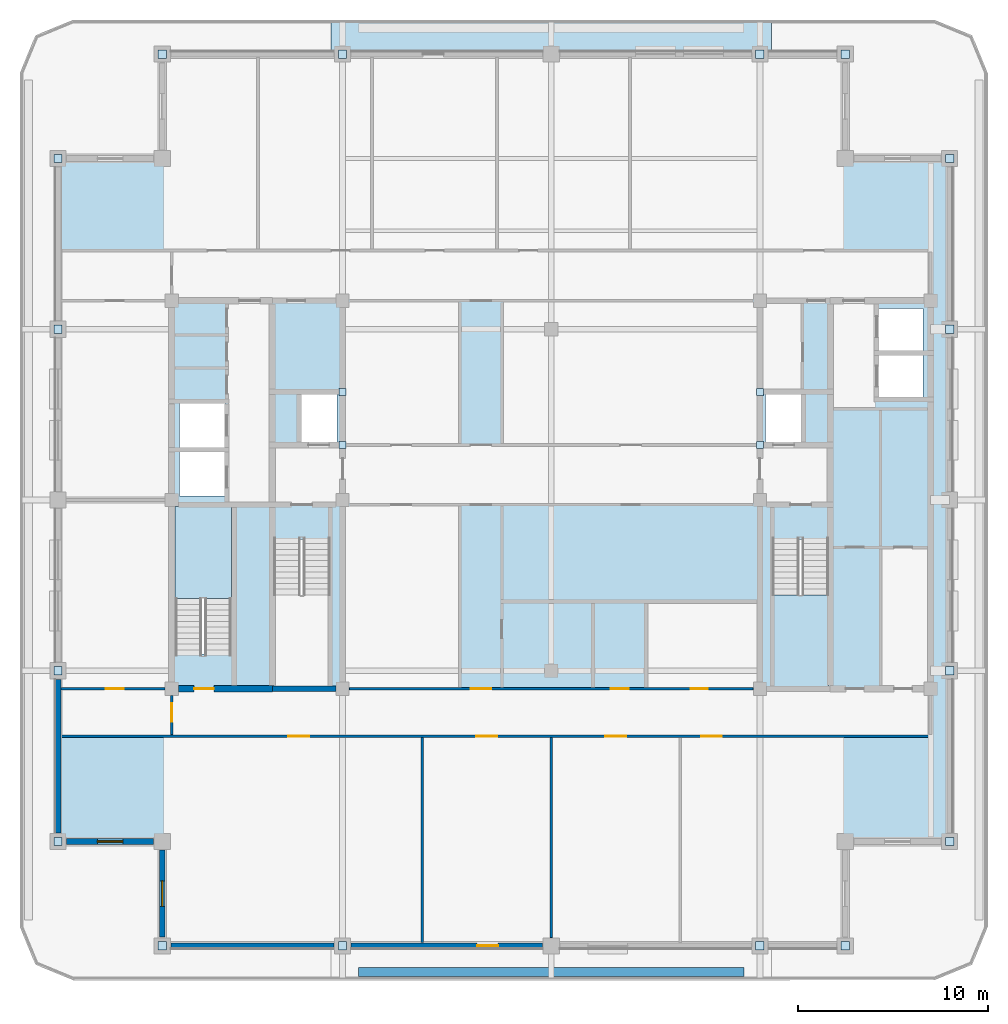
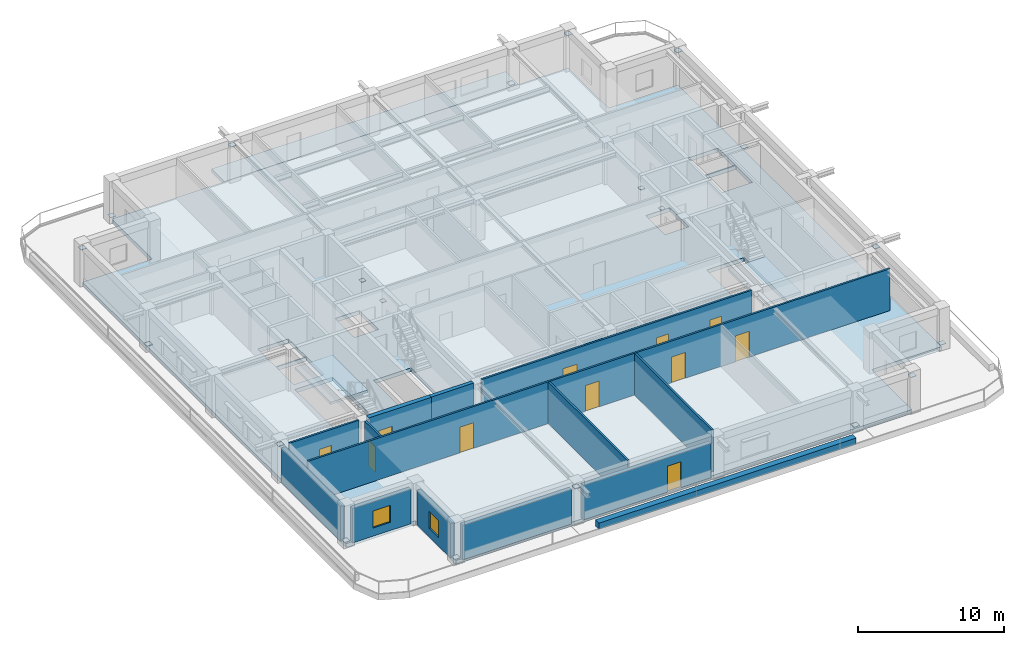
# One storey, part 2 of 11: 20 plates, 14 walls, 11 doors, 4 slabs, 2 windows, 13 openings, 2 elements without a shape of their own.
"""IFC4 building model written with IfcOpenShell, lengths in metres."""

from ifc_helpers import new_model, si_unit, direction, frame, frame_2d, origin, origin_2d, place, context, subcontext, project, spatial, polyline, rectangle, outline, extrude, material, layer, layer_set, type_object, element, fill, aggregate, save


model = new_model("IFC4")

# Units and contexts
model_context = context("Model", 3, precision=1e-05, world=origin(), true_north=direction((0.0, 1.0)))
body_context = subcontext(model_context, "Body", "Model", "MODEL_VIEW")
ifc_project = project(units=[si_unit("LENGTHUNIT", "METRE"), si_unit("AREAUNIT", "SQUARE_METRE"), si_unit("VOLUMEUNIT", "CUBIC_METRE"), si_unit("PLANEANGLEUNIT", "RADIAN"), si_unit("MASSUNIT", "GRAM", prefix="KILO")], contexts=[model_context])

# Site, building, storey
site_placement = place(None, origin())
site = spatial("IfcSite", under=ifc_project, at=site_placement, CompositionType="ELEMENT")
building_placement = place(site_placement, origin())
building = spatial("IfcBuilding", under=site, at=building_placement, Name="Zulmaris Gate Convention Tower", CompositionType="ELEMENT")
storey_placement = place(building_placement, frame((0.0, 0.0, 270.580078125)))
storey = spatial("IfcBuildingStorey", under=building, at=storey_placement, Name="L72", CompositionType="ELEMENT", Elevation=270.580078125)

# Plates
ifc_material_1 = material(Name="Steel S460", Category="steel")
ifc_layer_1 = layer(ifc_material_1, 0.02197265625, Name="Steel S460")
ifc_layer_set_1 = layer_set([ifc_layer_1], Name="Steel S460")
plate_type_1 = type_object("IfcPlateType", Name="NP-CAP-360", PredefinedType="USERDEFINED", material=ifc_layer_set_1)
for number, where, z_axis, x_axis, name in (
    (1, (-11.0, 2.89990234375, 2.339111328125), (0.0, 0.0, 1.0), (1.0, 0.0, 0.0), "L72 Steel Node Plate LN-L72-1-CAP0"),
    (2, (-11.0, 5.699951171875, 2.339111328125), (0.0, 0.0, 1.0), (1.0, 0.0, 0.0), "L72 Steel Node Plate LN-L72-1-CAP1"),
    (3, (11.0, 2.89990234375, 2.339111328125), (0.0, 0.0, 1.0), (1.0, 0.0, 0.0), "L72 Steel Node Plate LN-L72-2-CAP0"),
    (4, (11.0, 5.699951171875, 2.339111328125), (0.0, 0.0, 1.0), (1.0, 0.0, 0.0), "L72 Steel Node Plate LN-L72-2-CAP1"),
):
    element("IfcPlate", number, at=place(storey_placement, frame(where, z_axis=z_axis, x_axis=x_axis)), inside=storey, type_object=plate_type_1, Name=name, ObjectType="FLANGE PLATE", PredefinedType="USERDEFINED", context=body_context, shape_type="SweptSolid", body=[
        extrude(rectangle(XDim=0.360107421875, YDim=0.360107421875, at=origin_2d()), origin(), (0.0, 0.0, 1.0), 0.02197265625),
    ])
ifc_layer_2 = layer(ifc_material_1, 0.02490234375, Name="Steel S460")
ifc_layer_set_2 = layer_set([ifc_layer_2], Name="Steel S460")
plate_type_2 = type_object("IfcPlateType", Name="NP-CAP-440", PredefinedType="USERDEFINED", material=ifc_layer_set_2)
for number, where, z_axis, x_axis, name in (
    (5, (-26.0, -18.0, 0.28759765625), (0.0, 0.0, 1.0), (1.0, 0.0, 0.0), "L72 Steel Node Plate PBR-L72-SW-W-CAP"),
    (6, (-26.0, -9.0, 2.857666015625), (0.0, 0.0, 1.0), (1.0, 0.0, 0.0), "L72 Steel Node Plate PBR-L72-SW-W-CAPB"),
    (7, (-26.0, 9.0, 0.28759765625), (0.0, 0.0, 1.0), (1.0, 0.0, 0.0), "L72 Steel Node Plate PBR-L72-NW-W-CAP"),
    (8, (-26.0, 18.0, 2.857666015625), (0.0, 0.0, 1.0), (1.0, 0.0, 0.0), "L72 Steel Node Plate PBR-L72-NW-W-CAPB"),
    (9, (21.0, -18.0, 0.28759765625), (0.0, 0.0, 1.0), (1.0, 0.0, 0.0), "L72 Steel Node Plate PBR-L72-SE-E-CAP"),
    (10, (21.0, -9.0, 2.857666015625), (0.0, 0.0, 1.0), (1.0, 0.0, 0.0), "L72 Steel Node Plate PBR-L72-SE-E-CAPB"),
    (11, (21.0, 9.0, 0.28759765625), (0.0, 0.0, 1.0), (1.0, 0.0, 0.0), "L72 Steel Node Plate PBR-L72-NE-E-CAP"),
    (12, (21.0, 18.0, 2.857666015625), (0.0, 0.0, 1.0), (1.0, 0.0, 0.0), "L72 Steel Node Plate PBR-L72-NE-E-CAPB"),
    (13, (-20.5, -23.5, 0.28759765625), (0.0, 0.0, 1.0), (1.0, 0.0, 0.0), "L72 Steel Node Plate PBR-L72-SW-S-CAP"),
    (14, (-11.0, -23.5, 2.857666015625), (0.0, 0.0, 1.0), (1.0, 0.0, 0.0), "L72 Steel Node Plate PBR-L72-SW-S-CAPB"),
    (15, (11.0, -23.5, 0.28759765625), (0.0, 0.0, 1.0), (1.0, 0.0, 0.0), "L72 Steel Node Plate PBR-L72-SE-S-CAP"),
    (16, (15.5, -23.5, 2.857666015625), (0.0, 0.0, 1.0), (1.0, 0.0, 0.0), "L72 Steel Node Plate PBR-L72-SE-S-CAPB"),
    (17, (-20.5, 23.5, 0.28759765625), (0.0, 0.0, 1.0), (1.0, 0.0, 0.0), "L72 Steel Node Plate PBR-L72-NW-N-CAP"),
    (18, (-11.0, 23.5, 2.857666015625), (0.0, 0.0, 1.0), (1.0, 0.0, 0.0), "L72 Steel Node Plate PBR-L72-NW-N-CAPB"),
    (19, (11.0, 23.5, 0.28759765625), (0.0, 0.0, 1.0), (1.0, 0.0, 0.0), "L72 Steel Node Plate PBR-L72-NE-N-CAP"),
    (20, (15.5, 23.5, 2.857666015625), (0.0, 0.0, 1.0), (1.0, 0.0, 0.0), "L72 Steel Node Plate PBR-L72-NE-N-CAPB"),
):
    element("IfcPlate", number, at=place(storey_placement, frame(where, z_axis=z_axis, x_axis=x_axis)), inside=storey, type_object=plate_type_2, Name=name, ObjectType="FLANGE PLATE", PredefinedType="USERDEFINED", context=body_context, shape_type="SweptSolid", body=[
        extrude(rectangle(XDim=0.43994140625, YDim=0.43994140625, at=origin_2d()), origin(), (0.0, 0.0, 1.0), 0.02490234375),
    ])

# Slab
ifc_material_2 = material(Name="Concrete C50/60", Category="concrete")
ifc_layer_3 = layer(ifc_material_2, 0.324951171875, Name="Concrete C50/60")
ifc_layer_set_3 = layer_set([ifc_layer_3], Name="Concrete C50/60")
slab_type_1 = type_object("IfcSlabType", Name="SL-FLR-325", PredefinedType="FLOOR", material=ifc_layer_set_3)
slab_1_placement = place(storey_placement, frame((0.0, 0.0, -0.324951171875)))
element("IfcSlab", 21, at=slab_1_placement, inside=storey, type_object=slab_type_1, Name="L72 Shifted Notched-Square Structural Floor Slab", PredefinedType="FLOOR", context=body_context, shape_type="SweptSolid", body=[
    extrude(outline(polyline([(-20.5, -23.5), (15.5, -23.5), (15.5, -18.0), (21.0, -18.0), (21.0, 18.0), (15.5, 18.0), (15.5, 23.5), (-20.5, 23.5), (-20.5, 18.0), (-26.0, 18.0), (-26.0, -18.0), (-20.5, -18.0), (-20.5, -23.5)]), holes=[polyline([(-14.6201171875, -2.080078125), (-14.6201171875, -9.85009765625), (-11.659912109375, -9.85009765625), (-11.659912109375, -2.080078125), (-14.6201171875, -2.080078125)]), polyline([(11.659912109375, -2.080078125), (11.659912109375, -9.85009765625), (14.6201171875, -9.85009765625), (14.6201171875, -2.080078125), (11.659912109375, -2.080078125)]), polyline([(-16.860107421875, -8.1201171875), (-16.860107421875, -0.35009765625), (-19.820068359375, -0.35009765625), (-19.820068359375, -8.1201171875), (-16.860107421875, -8.1201171875)]), polyline([(-13.199951171875, 3.0), (-11.300048828125, 3.0), (-11.300048828125, 5.60009765625), (-13.199951171875, 5.60009765625), (-13.199951171875, 3.0)]), polyline([(11.300048828125, 3.0), (13.199951171875, 3.0), (13.199951171875, 5.60009765625), (11.300048828125, 5.60009765625), (11.300048828125, 3.0)]), polyline([(17.199951171875, 5.39990234375), (19.60009765625, 5.39990234375), (19.60009765625, 7.699951171875), (17.199951171875, 7.699951171875), (17.199951171875, 5.39990234375)]), polyline([(17.199951171875, 7.800048828125), (19.60009765625, 7.800048828125), (19.60009765625, 10.10009765625), (17.199951171875, 10.10009765625), (17.199951171875, 7.800048828125)]), polyline([(-19.60009765625, 0.199951171875), (-17.199951171875, 0.199951171875), (-17.199951171875, 2.60009765625), (-19.60009765625, 2.60009765625), (-19.60009765625, 0.199951171875)]), polyline([(-19.60009765625, 2.699951171875), (-17.199951171875, 2.699951171875), (-17.199951171875, 5.10009765625), (-19.60009765625, 5.10009765625), (-19.60009765625, 2.699951171875)])]), origin(), (0.0, 0.0, 1.0), 0.324951171875),
])

# Stair, slab
ifc_material_3 = material(Name="Concrete C45/55", Category="concrete")
stair_type = type_object("IfcStairType", Name="ST-CORE-DOGLEG", PredefinedType="HALF_TURN_STAIR", material=ifc_material_3)
stair_1_placement = place(storey_placement, origin())
stair_1 = element("IfcStair", 22, at=stair_1_placement, inside=storey, type_object=stair_type, Name="L72 Core Exit Stair ST-2", PredefinedType="HALF_TURN_STAIR")
ifc_layer_4 = layer(ifc_material_3, 0.199951171875, Name="Concrete C45/55")
ifc_layer_set_4 = layer_set([ifc_layer_4], Name="Concrete C45/55")
slab_type_2 = type_object("IfcSlabType", Name="SL-LND-200", PredefinedType="LANDING", material=ifc_layer_set_4)
slab_2_placement = place(storey_placement, frame((0.0, 0.0, 1.669921875)))
slab_2 = element("IfcSlab", 23, at=slab_2_placement, type_object=slab_type_2, Name="ST-2 landing 1", PredefinedType="LANDING", context=body_context, shape_type="SweptSolid", body=[
    extrude(outline(polyline([(11.659912109375, -5.0), (11.659912109375, -9.85009765625), (14.6201171875, -9.85009765625), (14.6201171875, -5.0), (11.659912109375, -5.0)])), origin(), (0.0, 0.0, 1.0), 0.2001953125),
])
aggregate(stair_1, [slab_2])

stair_2_placement = place(storey_placement, origin())
stair_2 = element("IfcStair", 24, at=stair_2_placement, inside=storey, type_object=stair_type, Name="L72 Core Exit Stair ST-3", PredefinedType="HALF_TURN_STAIR")
slab_3_placement = place(storey_placement, frame((0.0, 0.0, 1.669921875)))
slab_3 = element("IfcSlab", 25, at=slab_3_placement, type_object=slab_type_2, Name="ST-3 landing 1", PredefinedType="LANDING", context=body_context, shape_type="SweptSolid", body=[
    extrude(outline(polyline([(-16.860107421875, -5.199951171875), (-16.860107421875, -0.35009765625), (-19.820068359375, -0.35009765625), (-19.820068359375, -5.199951171875), (-16.860107421875, -5.199951171875)])), origin(), (0.0, 0.0, 1.0), 0.2001953125),
])
aggregate(stair_2, [slab_3])

# Slab
ifc_layer_5 = layer(ifc_material_2, 0.300048828125, Name="Concrete C50/60")
ifc_layer_set_5 = layer_set([ifc_layer_5], Name="Concrete C50/60")
slab_type_3 = type_object("IfcSlabType", Name="SL-SG-300", PredefinedType="FLOOR", material=ifc_layer_set_5)
slab_4_placement = place(storey_placement, frame((0.0, 0.0, -0.324951171875)))
element("IfcSlab", 26, at=slab_4_placement, inside=storey, type_object=slab_type_3, Name="L72 North Sky-Garden Planter Slab", PredefinedType="FLOOR", context=body_context, shape_type="SweptSolid", body=[
    extrude(outline(polyline([(11.597900390625, 25.300048828125), (11.597900390625, 23.5), (-11.597900390625, 23.5), (-11.597900390625, 25.300048828125), (11.597900390625, 25.300048828125)])), origin(), (0.0, 0.0, 1.0), 0.300048828125),
])

# Wall
ifc_layer_6 = layer(ifc_material_2, 0.300048828125, Name="Concrete C50/60")
ifc_layer_set_6 = layer_set([ifc_layer_6], Name="Concrete C50/60")
wall_type_1 = type_object("IfcWallType", Name="CORE-300", PredefinedType="SHEAR", material=ifc_layer_set_6)
wall_1_placement = place(storey_placement, frame((-14.699951171875, -9.949951171875, 0.0), z_axis=(0.0, 0.0, 1.0), x_axis=(1.0, 0.0, 0.0)))
element("IfcWall", 27, at=wall_1_placement, inside=storey, type_object=wall_type_1, Name="WL-L72-002", PredefinedType="SHEAR", context=body_context, shape_type="SweptSolid", body=[
    extrude(rectangle(XDim=3.345947265625, YDim=0.300048828125, at=frame_2d((1.6728515625, 0.0))), origin(), (0.0, 0.0, 1.0), 3.489990234375),
])

# Wall, opening, door
ifc_material_4 = material(Name="Concrete C55/67", Category="concrete")
ifc_layer_7 = layer(ifc_material_4, 0.35009765625, Name="Concrete C55/67")
ifc_layer_set_7 = layer_set([ifc_layer_7], Name="Concrete C55/67")
wall_type_2 = type_object("IfcWallType", Name="CORE-350", PredefinedType="SHEAR", material=ifc_layer_set_7)
wall_2_placement = place(storey_placement, frame((-19.64599609375, -9.949951171875, 0.0), z_axis=(0.0, 0.0, 1.0), x_axis=(1.0, 0.0, 0.0)))
wall_2 = element("IfcWall", 28, at=wall_2_placement, inside=storey, type_object=wall_type_2, Name="WL-L72-001", PredefinedType="SHEAR", context=body_context, shape_type="SweptSolid", body=[
    extrude(rectangle(XDim=4.946044921875, YDim=0.35009765625, at=frame_2d((2.47314453125, 0.0))), origin(), (0.0, 0.0, 1.0), 3.489990234375),
])
opening_1_placement = place(wall_2_placement, frame((0.821044921875, 0.0, 0.0)))
opening_1 = element("IfcOpeningElement", 29, at=opening_1_placement, cuts=wall_2, Name="Opening D-09", PredefinedType="OPENING", context=body_context, shape_type="SweptSolid", body=[
    extrude(rectangle(XDim=1.050048828125, YDim=2.14990234375, at=frame_2d((0.52490234375, 1.074951171875))), frame((0.0, 0.18505859375, 0.0), z_axis=(0.0, -1.0, 0.0), x_axis=(1.0, 0.0, 0.0)), (0.0, 0.0, 1.0), 0.3701171875),
])
ifc_material_5 = material(Name="Fire-Rated Steel", Category="steel")
door_type_1 = type_object("IfcDoorType", Name="DR-1050-FD", OperationType="NOTDEFINED", PredefinedType="DOOR", material=ifc_material_5)
door_1_placement = place(opening_1_placement, origin())
door_1 = element("IfcDoor", 30, at=door_1_placement, inside=storey, type_object=door_type_1, Name="L72 Exit Stair ST-3 Door 10", OperationType="SINGLE_SWING_RIGHT", OverallHeight=2.14990234375, OverallWidth=1.050048828125, PredefinedType="DOOR", context=body_context, shape_type="SweptSolid", body=[
    extrude(rectangle(XDim=1.050048828125, YDim=2.14990234375, at=frame_2d((0.52490234375, 1.074951171875))), frame((0.0, 0.02490234375, 0.0), z_axis=(0.0, -1.0, 0.0), x_axis=(1.0, 0.0, 0.0)), (0.0, 0.0, 1.0), 0.050048828125),
])
fill(opening_1, door_1)

# Wall, openings, doors
ifc_material_6 = material(Name="Gypsum Metal Stud Partition")
ifc_layer_8 = layer(ifc_material_6, 0.14990234375, Name="Gypsum Metal Stud Partition")
ifc_layer_set_8 = layer_set([ifc_layer_8], Name="Gypsum Metal Stud Partition")
wall_type_3 = type_object("IfcWallType", Name="PART-150", PredefinedType="PARTITIONING", material=ifc_layer_set_8)
wall_3_placement = place(storey_placement, frame((-25.8349609375, -12.449951171875, 0.0), z_axis=(0.0, 0.0, 1.0), x_axis=(1.0, 0.0, 0.0)))
wall_3 = element("IfcWall", 31, at=wall_3_placement, inside=storey, type_object=wall_type_3, Name="WL-L72-019", PredefinedType="PARTITIONING", context=body_context, shape_type="SweptSolid", body=[
    extrude(rectangle(XDim=45.909912109375, YDim=0.14990234375, at=frame_2d((22.955078125, 0.0))), origin(), (0.0, 0.0, 1.0), 3.489990234375),
])
opening_2_placement = place(wall_3_placement, frame((11.985107421875, 0.0, 0.0)))
opening_2 = element("IfcOpeningElement", 32, at=opening_2_placement, cuts=wall_3, Name="Opening D-08", PredefinedType="OPENING", context=body_context, shape_type="SweptSolid", body=[
    extrude(rectangle(XDim=1.10009765625, YDim=2.14990234375, at=frame_2d((0.550048828125, 1.074951171875))), frame((0.0, 0.0849609375, 0.0), z_axis=(0.0, -1.0, 0.0), x_axis=(1.0, 0.0, 0.0)), (0.0, 0.0, 1.0), 0.169921875),
])
opening_3_placement = place(wall_3_placement, frame((21.885009765625, 0.0, 0.0)))
opening_3 = element("IfcOpeningElement", 33, at=opening_3_placement, cuts=wall_3, Name="Opening D-08", PredefinedType="OPENING", context=body_context, shape_type="SweptSolid", body=[
    extrude(rectangle(XDim=1.10009765625, YDim=2.14990234375, at=frame_2d((0.550048828125, 1.074951171875))), frame((0.0, 0.0849609375, 0.0), z_axis=(0.0, -1.0, 0.0), x_axis=(1.0, 0.0, 0.0)), (0.0, 0.0, 1.0), 0.169921875),
])
opening_4_placement = place(wall_3_placement, frame((28.68505859375, 0.0, 0.0)))
opening_4 = element("IfcOpeningElement", 34, at=opening_4_placement, cuts=wall_3, Name="Opening D-08", PredefinedType="OPENING", context=body_context, shape_type="SweptSolid", body=[
    extrude(rectangle(XDim=1.10009765625, YDim=2.14990234375, at=frame_2d((0.550048828125, 1.074951171875))), frame((0.0, 0.0849609375, 0.0), z_axis=(0.0, -1.0, 0.0), x_axis=(1.0, 0.0, 0.0)), (0.0, 0.0, 1.0), 0.169921875),
])
opening_5_placement = place(wall_3_placement, frame((33.735107421875, 0.0, 0.0)))
opening_5 = element("IfcOpeningElement", 35, at=opening_5_placement, cuts=wall_3, Name="Opening D-08", PredefinedType="OPENING", context=body_context, shape_type="SweptSolid", body=[
    extrude(rectangle(XDim=1.10009765625, YDim=2.14990234375, at=frame_2d((0.550048828125, 1.074951171875))), frame((0.0, 0.0849609375, 0.0), z_axis=(0.0, -1.0, 0.0), x_axis=(1.0, 0.0, 0.0)), (0.0, 0.0, 1.0), 0.169921875),
])
door_type_2 = type_object("IfcDoorType", Name="DR-1100-FD", OperationType="NOTDEFINED", PredefinedType="DOOR", material=ifc_material_5)
door_2_placement = place(opening_2_placement, origin())
door_2 = element("IfcDoor", 36, at=door_2_placement, inside=storey, type_object=door_type_2, Name="L72 West Sky-Garden Workplace Studio Door 33", OperationType="SINGLE_SWING_LEFT", OverallHeight=2.14990234375, OverallWidth=1.10009765625, PredefinedType="DOOR", context=body_context, shape_type="SweptSolid", body=[
    extrude(rectangle(XDim=1.10009765625, YDim=2.14990234375, at=frame_2d((0.550048828125, 1.074951171875))), frame((0.0, 0.02490234375, 0.0), z_axis=(0.0, -1.0, 0.0), x_axis=(1.0, 0.0, 0.0)), (0.0, 0.0, 1.0), 0.050048828125),
])
fill(opening_2, door_2)
door_3_placement = place(opening_3_placement, origin())
door_3 = element("IfcDoor", 37, at=door_3_placement, inside=storey, type_object=door_type_2, Name="L72 Sky-Garden West Conservatory Door 34", OperationType="SINGLE_SWING_RIGHT", OverallHeight=2.14990234375, OverallWidth=1.10009765625, PredefinedType="DOOR", context=body_context, shape_type="SweptSolid", body=[
    extrude(rectangle(XDim=1.10009765625, YDim=2.14990234375, at=frame_2d((0.550048828125, 1.074951171875))), frame((0.0, 0.02490234375, 0.0), z_axis=(0.0, -1.0, 0.0), x_axis=(1.0, 0.0, 0.0)), (0.0, 0.0, 1.0), 0.050048828125),
])
fill(opening_3, door_3)
door_4_placement = place(opening_4_placement, origin())
door_4 = element("IfcDoor", 38, at=door_4_placement, inside=storey, type_object=door_type_2, Name="L72 Sky-Garden Botanical Lounge Door 35", OperationType="SINGLE_SWING_LEFT", OverallHeight=2.14990234375, OverallWidth=1.10009765625, PredefinedType="DOOR", context=body_context, shape_type="SweptSolid", body=[
    extrude(rectangle(XDim=1.10009765625, YDim=2.14990234375, at=frame_2d((0.550048828125, 1.074951171875))), frame((0.0, 0.02490234375, 0.0), z_axis=(0.0, -1.0, 0.0), x_axis=(1.0, 0.0, 0.0)), (0.0, 0.0, 1.0), 0.050048828125),
])
fill(opening_4, door_4)
door_5_placement = place(opening_5_placement, origin())
door_5 = element("IfcDoor", 39, at=door_5_placement, inside=storey, type_object=door_type_2, Name="L72 East Botanical Reading Pantry Door 36", OperationType="SINGLE_SWING_RIGHT", OverallHeight=2.14990234375, OverallWidth=1.10009765625, PredefinedType="DOOR", context=body_context, shape_type="SweptSolid", body=[
    extrude(rectangle(XDim=1.10009765625, YDim=2.14990234375, at=frame_2d((0.550048828125, 1.074951171875))), frame((0.0, 0.02490234375, 0.0), z_axis=(0.0, -1.0, 0.0), x_axis=(1.0, 0.0, 0.0)), (0.0, 0.0, 1.0), 0.050048828125),
])
fill(opening_5, door_5)

# Wall, opening, door
wall_4_placement = place(storey_placement, frame((-25.8349609375, -9.949951171875, 0.0), z_axis=(0.0, 0.0, 1.0), x_axis=(1.0, 0.0, 0.0)))
wall_4 = element("IfcWall", 40, at=wall_4_placement, inside=storey, type_object=wall_type_3, Name="WL-L72-020", PredefinedType="PARTITIONING", context=body_context, shape_type="SweptSolid", body=[
    extrude(rectangle(XDim=5.47900390625, YDim=0.14990234375, at=frame_2d((2.739501953125, 0.0))), origin(), (0.0, 0.0, 1.0), 3.489990234375),
])
opening_6_placement = place(wall_4_placement, frame((2.360107421875, 0.0, 0.0)))
opening_6 = element("IfcOpeningElement", 41, at=opening_6_placement, cuts=wall_4, Name="Opening D-11", PredefinedType="OPENING", context=body_context, shape_type="SweptSolid", body=[
    extrude(rectangle(XDim=0.949951171875, YDim=2.14990234375, at=frame_2d((0.47509765625, 1.074951171875))), frame((0.0, 0.0849609375, 0.0), z_axis=(0.0, -1.0, 0.0), x_axis=(1.0, 0.0, 0.0)), (0.0, 0.0, 1.0), 0.169921875),
])
ifc_material_7 = material(Name="Fire-Rated Timber", Category="wood")
door_type_3 = type_object("IfcDoorType", Name="DR-950-FD", OperationType="NOTDEFINED", PredefinedType="DOOR", material=ifc_material_7)
door_6_placement = place(opening_6_placement, origin())
door_6 = element("IfcDoor", 42, at=door_6_placement, inside=storey, type_object=door_type_3, Name="L72 SW Partner Door 47", OperationType="SINGLE_SWING_LEFT", OverallHeight=2.14990234375, OverallWidth=0.949951171875, PredefinedType="DOOR", context=body_context, shape_type="SweptSolid", body=[
    extrude(rectangle(XDim=0.949951171875, YDim=2.14990234375, at=frame_2d((0.47509765625, 1.074951171875))), frame((0.0, 0.02490234375, 0.0), z_axis=(0.0, -1.0, 0.0), x_axis=(1.0, 0.0, 0.0)), (0.0, 0.0, 1.0), 0.050048828125),
])
fill(opening_6, door_6)

# Wall, openings, doors
wall_5_placement = place(storey_placement, frame((-10.64404296875, -9.949951171875, 0.0), z_axis=(0.0, 0.0, 1.0), x_axis=(1.0, 0.0, 0.0)))
wall_5 = element("IfcWall", 43, at=wall_5_placement, inside=storey, type_object=wall_type_3, Name="WL-L72-021", PredefinedType="PARTITIONING", context=body_context, shape_type="SweptSolid", body=[
    extrude(rectangle(XDim=21.2880859375, YDim=0.14990234375, at=frame_2d((10.64404296875, 0.0))), origin(), (0.0, 0.0, 1.0), 3.489990234375),
])
opening_7_placement = place(wall_5_placement, frame((6.39404296875, 0.0, 0.0)))
opening_7 = element("IfcOpeningElement", 44, at=opening_7_placement, cuts=wall_5, Name="Opening D-08", PredefinedType="OPENING", context=body_context, shape_type="SweptSolid", body=[
    extrude(rectangle(XDim=1.10009765625, YDim=2.14990234375, at=frame_2d((0.550048828125, 1.074951171875))), frame((0.0, 0.0849609375, 0.0), z_axis=(0.0, -1.0, 0.0), x_axis=(1.0, 0.0, 0.0)), (0.0, 0.0, 1.0), 0.169921875),
])
opening_8_placement = place(wall_5_placement, frame((13.76904296875, 0.0, 0.0)))
opening_8 = element("IfcOpeningElement", 45, at=opening_8_placement, cuts=wall_5, Name="Opening D-11", PredefinedType="OPENING", context=body_context, shape_type="SweptSolid", body=[
    extrude(rectangle(XDim=0.949951171875, YDim=2.14990234375, at=frame_2d((0.47509765625, 1.074951171875))), frame((0.0, 0.0849609375, 0.0), z_axis=(0.0, -1.0, 0.0), x_axis=(1.0, 0.0, 0.0)), (0.0, 0.0, 1.0), 0.169921875),
])
opening_9_placement = place(wall_5_placement, frame((17.993896484375, 0.0, 0.0)))
opening_9 = element("IfcOpeningElement", 46, at=opening_9_placement, cuts=wall_5, Name="Opening D-12", PredefinedType="OPENING", context=body_context, shape_type="SweptSolid", body=[
    extrude(rectangle(XDim=0.89990234375, YDim=2.14990234375, at=frame_2d((0.449951171875, 1.074951171875))), frame((0.0, 0.0849609375, 0.0), z_axis=(0.0, -1.0, 0.0), x_axis=(1.0, 0.0, 0.0)), (0.0, 0.0, 1.0), 0.169921875),
])
door_7_placement = place(opening_7_placement, origin())
door_7 = element("IfcDoor", 47, at=door_7_placement, inside=storey, type_object=door_type_2, Name="L72 Exec South Link Door 25", OperationType="SINGLE_SWING_LEFT", OverallHeight=2.14990234375, OverallWidth=1.10009765625, PredefinedType="DOOR", context=body_context, shape_type="SweptSolid", body=[
    extrude(rectangle(XDim=1.10009765625, YDim=2.14990234375, at=frame_2d((0.550048828125, 1.074951171875))), frame((0.0, 0.02490234375, 0.0), z_axis=(0.0, -1.0, 0.0), x_axis=(1.0, 0.0, 0.0)), (0.0, 0.0, 1.0), 0.050048828125),
])
fill(opening_7, door_7)
door_type_4 = type_object("IfcDoorType", Name="DR-900-FD", OperationType="NOTDEFINED", PredefinedType="DOOR", material=ifc_material_7)
door_8_placement = place(opening_9_placement, origin())
door_8 = element("IfcDoor", 48, at=door_8_placement, inside=storey, type_object=door_type_4, Name="L72 Reprographics Office Door 43", OperationType="SINGLE_SWING_LEFT", OverallHeight=2.14990234375, OverallWidth=0.89990234375, PredefinedType="DOOR", context=body_context, shape_type="SweptSolid", body=[
    extrude(rectangle(XDim=0.89990234375, YDim=2.14990234375, at=frame_2d((0.449951171875, 1.074951171875))), frame((0.0, 0.02490234375, 0.0), z_axis=(0.0, -1.0, 0.0), x_axis=(1.0, 0.0, 0.0)), (0.0, 0.0, 1.0), 0.050048828125),
])
fill(opening_9, door_8)
door_9_placement = place(opening_8_placement, origin())
door_9 = element("IfcDoor", 49, at=door_9_placement, inside=storey, type_object=door_type_3, Name="L72 Accessible WC Door 42", OperationType="SINGLE_SWING_RIGHT", OverallHeight=2.14990234375, OverallWidth=0.949951171875, PredefinedType="DOOR", context=body_context, shape_type="SweptSolid", body=[
    extrude(rectangle(XDim=0.949951171875, YDim=2.14990234375, at=frame_2d((0.47509765625, 1.074951171875))), frame((0.0, 0.02490234375, 0.0), z_axis=(0.0, -1.0, 0.0), x_axis=(1.0, 0.0, 0.0)), (0.0, 0.0, 1.0), 0.050048828125),
])
fill(opening_8, door_9)

# Wall, opening, door
wall_6_placement = place(storey_placement, frame((-20.0, -12.3720703125, 0.0), z_axis=(0.0, 0.0, 1.0), x_axis=(0.0, 1.0, 0.0)))
wall_6 = element("IfcWall", 50, at=wall_6_placement, inside=storey, type_object=wall_type_3, Name="WL-L72-065", PredefinedType="PARTITIONING", context=body_context, shape_type="SweptSolid", body=[
    extrude(rectangle(XDim=2.066162109375, YDim=0.14990234375, at=frame_2d((1.033203125, 0.0))), origin(), (0.0, 0.0, 1.0), 3.489990234375),
])
opening_10_placement = place(wall_6_placement, frame((0.697021484375, 0.0, 0.0)))
opening_10 = element("IfcOpeningElement", 51, at=opening_10_placement, cuts=wall_6, Name="Opening D-11", PredefinedType="OPENING", context=body_context, shape_type="SweptSolid", body=[
    extrude(rectangle(XDim=0.949951171875, YDim=2.14990234375, at=frame_2d((0.47509765625, 1.074951171875))), frame((0.0, 0.0849609375, 0.0), z_axis=(0.0, -1.0, 0.0), x_axis=(1.0, 0.0, 0.0)), (0.0, 0.0, 1.0), 0.169921875),
])
door_10_placement = place(opening_10_placement, origin())
door_10 = element("IfcDoor", 52, at=door_10_placement, inside=storey, type_object=door_type_3, Name="L72 SW Spur Door 45", OperationType="SINGLE_SWING_LEFT", OverallHeight=2.14990234375, OverallWidth=0.949951171875, PredefinedType="DOOR", context=body_context, shape_type="SweptSolid", body=[
    extrude(rectangle(XDim=0.949951171875, YDim=2.14990234375, at=frame_2d((0.47509765625, 1.074951171875))), frame((0.0, 0.02490234375, 0.0), z_axis=(0.0, -1.0, 0.0), x_axis=(1.0, 0.0, 0.0)), (0.0, 0.0, 1.0), 0.050048828125),
])
fill(opening_10, door_10)

# Walls
wall_7_placement = place(storey_placement, frame((-6.800048828125, -23.3349609375, 0.0), z_axis=(0.0, 0.0, 1.0), x_axis=(0.0, 1.0, 0.0)))
element("IfcWall", 53, at=wall_7_placement, inside=storey, type_object=wall_type_3, Name="WL-L72-072", PredefinedType="PARTITIONING", context=body_context, shape_type="SweptSolid", body=[
    extrude(rectangle(XDim=10.806884765625, YDim=0.14990234375, at=frame_2d((5.4033203125, 0.0))), origin(), (0.0, 0.0, 1.0), 3.489990234375),
])
wall_8_placement = place(storey_placement, frame((0.0, -23.069091796875, 0.0), z_axis=(0.0, 0.0, 1.0), x_axis=(0.0, 1.0, 0.0)))
element("IfcWall", 54, at=wall_8_placement, inside=storey, type_object=wall_type_3, Name="WL-L72-079", PredefinedType="PARTITIONING", context=body_context, shape_type="SweptSolid", body=[
    extrude(rectangle(XDim=10.541015625, YDim=0.14990234375, at=frame_2d((5.2705078125, 0.0))), origin(), (0.0, 0.0, 1.0), 3.489990234375),
])
ifc_material_8 = material(Name="Botanical Green Glazed Precast Concrete C40/50", Category="concrete")
ifc_layer_9 = layer(ifc_material_8, 0.419921875, Name="Botanical Green Glazed Precast Concrete C40/50")
ifc_layer_set_9 = layer_set([ifc_layer_9], Name="Botanical Green Glazed Precast Concrete C40/50")
wall_type_4 = type_object("IfcWallType", Name="PLANTER-CURB-200", PredefinedType="PARAPET", material=ifc_layer_set_9)
wall_9_placement = place(storey_placement, frame((-10.14990234375, -24.8798828125, -0.0400390625), z_axis=(0.0, 0.0, 1.0), x_axis=(1.0, 0.0, 0.0)))
element("IfcWall", 55, at=wall_9_placement, inside=storey, type_object=wall_type_4, Name="L72 Full-Length Balcony Tree Planter Trough", PredefinedType="PARAPET", context=body_context, shape_type="SweptSolid", body=[
    extrude(rectangle(XDim=20.2998046875, YDim=0.47998046875, at=frame_2d((10.14990234375, 0.0))), origin(), (0.0, 0.0, 1.0), 0.52001953125),
])

# Wall, opening, window
ifc_material_9 = material(Name="Precast concrete C40/50", Category="concrete")
ifc_layer_10 = layer(ifc_material_9, 0.300048828125, Name="Precast concrete C40/50")
ifc_layer_set_10 = layer_set([ifc_layer_10], Name="Precast concrete C40/50")
wall_type_5 = type_object("IfcWallType", Name="PRECAST-PIER-300", PredefinedType="STANDARD", material=ifc_layer_set_10)
wall_10_placement = place(storey_placement, frame((-25.544921875, -18.0, 0.0), z_axis=(0.0, 0.0, 1.0), x_axis=(1.0, 0.0, 0.0)))
wall_10 = element("IfcWall", 56, at=wall_10_placement, inside=storey, type_object=wall_type_5, Name="EW-L72-NOTCH-SW1_0", PredefinedType="STANDARD", context=body_context, shape_type="SweptSolid", body=[
    extrude(rectangle(XDim=4.58984375, YDim=0.300048828125, at=frame_2d((2.294921875, 0.0))), origin(), (0.0, 0.0, 1.0), 2.882080078125),
])
opening_11_placement = place(wall_10_placement, frame((1.6201171875, 0.0, 0.679931640625)))
opening_11 = element("IfcOpeningElement", 57, at=opening_11_placement, cuts=wall_10, Name="Opening W-10", PredefinedType="OPENING", context=body_context, shape_type="SweptSolid", body=[
    extrude(rectangle(XDim=1.35009765625, YDim=1.419921875, at=frame_2d((0.675048828125, 0.7099609375))), frame((0.0, 0.16015625, 0.0), z_axis=(0.0, -1.0, 0.0), x_axis=(1.0, 0.0, 0.0)), (0.0, 0.0, 1.0), 0.320068359375),
])
ifc_material_10 = material(Name="Low-E Laminated Double Glazing in Aluminium Frame", Category="aluminium")
window_type = type_object("IfcWindowType", Name="WIN-1350x2000", PartitioningType="SINGLE_PANEL", PredefinedType="WINDOW", material=ifc_material_10)
window_1_placement = place(opening_11_placement, origin())
window_1 = element("IfcWindow", 58, at=window_1_placement, inside=storey, type_object=window_type, Name="WN-EW-L72-NOTCH-SW1_0", OverallHeight=1.419921875, OverallWidth=1.35009765625, PartitioningType="SINGLE_PANEL", PredefinedType="WINDOW", context=body_context, shape_type="SweptSolid", body=[
    extrude(rectangle(XDim=1.35009765625, YDim=1.419921875, at=frame_2d((0.675048828125, 0.7099609375))), frame((0.0, 0.030029296875, 0.0), z_axis=(0.0, -1.0, 0.0), x_axis=(1.0, 0.0, 0.0)), (0.0, 0.0, 1.0), 0.06005859375),
])
fill(opening_11, window_1)

wall_11_placement = place(storey_placement, frame((-20.5, -18.455078125, 0.0), z_axis=(0.0, 0.0, 1.0), x_axis=(0.0, -1.0, 0.0)))
wall_11 = element("IfcWall", 59, at=wall_11_placement, inside=storey, type_object=wall_type_5, Name="EW-L72-NOTCH-SW2_0", PredefinedType="STANDARD", context=body_context, shape_type="SweptSolid", body=[
    extrude(rectangle(XDim=4.58984375, YDim=0.300048828125, at=frame_2d((2.294921875, 0.0))), origin(), (0.0, 0.0, 1.0), 2.882080078125),
])
opening_12_placement = place(wall_11_placement, frame((1.6201171875, 0.0, 0.679931640625)))
opening_12 = element("IfcOpeningElement", 60, at=opening_12_placement, cuts=wall_11, Name="Opening W-10", PredefinedType="OPENING", context=body_context, shape_type="SweptSolid", body=[
    extrude(rectangle(XDim=1.35009765625, YDim=1.419921875, at=frame_2d((0.675048828125, 0.7099609375))), frame((0.0, 0.16015625, 0.0), z_axis=(0.0, -1.0, 0.0), x_axis=(1.0, 0.0, 0.0)), (0.0, 0.0, 1.0), 0.320068359375),
])
window_2_placement = place(opening_12_placement, origin())
window_2 = element("IfcWindow", 61, at=window_2_placement, inside=storey, type_object=window_type, Name="WN-EW-L72-NOTCH-SW2_0", OverallHeight=1.419921875, OverallWidth=1.35009765625, PartitioningType="SINGLE_PANEL", PredefinedType="WINDOW", context=body_context, shape_type="SweptSolid", body=[
    extrude(rectangle(XDim=1.35009765625, YDim=1.419921875, at=frame_2d((0.675048828125, 0.7099609375))), frame((0.0, 0.030029296875, 0.0), z_axis=(0.0, -1.0, 0.0), x_axis=(1.0, 0.0, 0.0)), (0.0, 0.0, 1.0), 0.06005859375),
])
fill(opening_12, window_2)

# Wall
wall_12_placement = place(storey_placement, frame((-20.044921875, -23.5, 0.0), z_axis=(0.0, 0.0, 1.0), x_axis=(1.0, 0.0, 0.0)))
element("IfcWall", 62, at=wall_12_placement, inside=storey, type_object=wall_type_5, Name="EW-L72-S-0_0", PredefinedType="STANDARD", context=body_context, shape_type="SweptSolid", body=[
    extrude(rectangle(XDim=8.58984375, YDim=0.300048828125, at=frame_2d((4.294921875, 0.0))), origin(), (0.0, 0.0, 1.0), 2.882080078125),
])

# Wall, opening, door
wall_13_placement = place(storey_placement, frame((-10.544921875, -23.5, 0.0), z_axis=(0.0, 0.0, 1.0), x_axis=(1.0, 0.0, 0.0)))
wall_13 = element("IfcWall", 63, at=wall_13_placement, inside=storey, type_object=wall_type_5, Name="EW-L72-S-1_0", PredefinedType="STANDARD", context=body_context, shape_type="SweptSolid", body=[
    extrude(rectangle(XDim=10.08984375, YDim=0.300048828125, at=frame_2d((5.044921875, 0.0))), origin(), (0.0, 0.0, 1.0), 2.882080078125),
])
opening_13_placement = place(wall_13_placement, frame((6.64208984375, 0.0, 0.0)))
opening_13 = element("IfcOpeningElement", 64, at=opening_13_placement, cuts=wall_13, Name="Opening D-04", PredefinedType="OPENING", context=body_context, shape_type="SweptSolid", body=[
    extrude(rectangle(XDim=1.10009765625, YDim=2.14990234375, at=frame_2d((0.550048828125, 1.074951171875))), frame((0.0, 0.16015625, 0.0), z_axis=(0.0, -1.0, 0.0), x_axis=(1.0, 0.0, 0.0)), (0.0, 0.0, 1.0), 0.320068359375),
])
ifc_material_11 = material(Name="Anodised Aluminium and Laminated Glass", Category="aluminium")
door_type_5 = type_object("IfcDoorType", Name="ED-1100", OperationType="SINGLE_SWING_RIGHT", PredefinedType="DOOR", material=ifc_material_11)
door_11_placement = place(opening_13_placement, origin())
door_11 = element("IfcDoor", 65, at=door_11_placement, inside=storey, type_object=door_type_5, Name="L72 S Planted Terrace Door", OperationType="SINGLE_SWING_RIGHT", OverallHeight=2.14990234375, OverallWidth=1.10009765625, PredefinedType="DOOR", context=body_context, shape_type="SweptSolid", body=[
    extrude(rectangle(XDim=1.10009765625, YDim=2.14990234375, at=frame_2d((0.550048828125, 1.074951171875))), frame((0.0, 0.02490234375, 0.0), z_axis=(0.0, -1.0, 0.0), x_axis=(1.0, 0.0, 0.0)), (0.0, 0.0, 1.0), 0.050048828125),
])
fill(opening_13, door_11)

# Wall
wall_14_placement = place(storey_placement, frame((-26.0, -9.455078125, 0.0), z_axis=(0.0, 0.0, 1.0), x_axis=(0.0, -1.0, 0.0)))
element("IfcWall", 66, at=wall_14_placement, inside=storey, type_object=wall_type_5, Name="EW-L72-W-0_0", PredefinedType="STANDARD", context=body_context, shape_type="SweptSolid", body=[
    extrude(rectangle(XDim=8.08984375, YDim=0.300048828125, at=frame_2d((4.044921875, 0.0))), origin(), (0.0, 0.0, 1.0), 2.882080078125),
])

save(model, "model.ifc")
